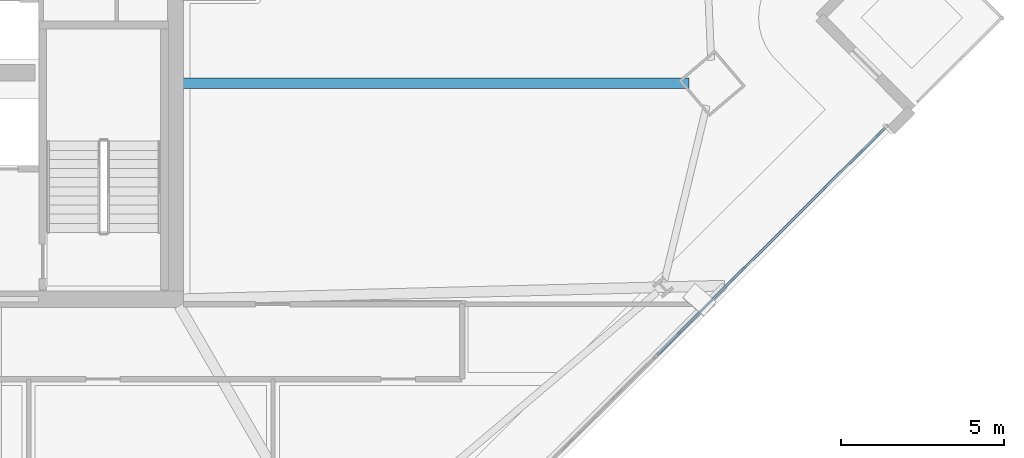
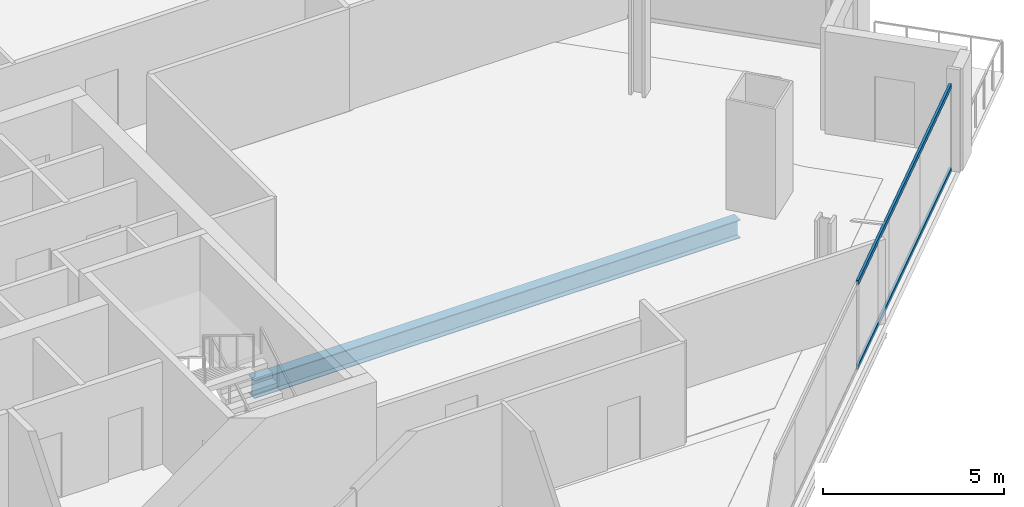
# One storey, part 11 of 32: 2 members, 1 beam, 1 element without a shape of its own.
"""IFC4 building model written with IfcOpenShell, lengths in metres."""

from ifc_helpers import new_model, si_unit, direction, frame, origin, origin_2d, place, context, subcontext, project, spatial, hollow_rectangle, i_section, extrude, material, material_profile, profile_set, type_object, element, aggregate, save


model = new_model("IFC4")

# Units and contexts
model_context = context("Model", 3, precision=1e-05, world=origin(), true_north=direction((0.0, 1.0)))
body_context = subcontext(model_context, "Body", "Model", "MODEL_VIEW")
ifc_project = project(units=[si_unit("LENGTHUNIT", "METRE"), si_unit("AREAUNIT", "SQUARE_METRE"), si_unit("VOLUMEUNIT", "CUBIC_METRE"), si_unit("PLANEANGLEUNIT", "RADIAN"), si_unit("MASSUNIT", "GRAM", prefix="KILO")], contexts=[model_context])

# Site, building, storey
site_placement = place(None, origin())
site = spatial("IfcSite", under=ifc_project, at=site_placement, CompositionType="ELEMENT")
building_placement = place(site_placement, origin())
building = spatial("IfcBuilding", under=site, at=building_placement, Name="Haldenkirk Collegiate Tower", CompositionType="ELEMENT")
storey_placement = place(building_placement, frame((0.0, 0.0, 178.199951171875)))
storey = spatial("IfcBuildingStorey", under=building, at=storey_placement, Name="L44", CompositionType="ELEMENT", Elevation=178.199951171875)

# Beam
ifc_material_1 = material(Name="Steel ASTM A992 Grade 50", Category="steel")
ifc_material_profile_1 = material_profile(ifc_material_1, i_section(OverallWidth=0.324951171875, OverallDepth=0.615966796875, WebThickness=0.013916015625, FlangeThickness=0.021484375, at=origin_2d()), Name="W24X117")
ifc_profile_set_1 = profile_set([ifc_material_profile_1], Name="Steel ASTM A992 Grade 50")
beam_type = type_object("IfcBeamType", Name="BM-GIRDER-W24X117", PredefinedType="BEAM", material=ifc_profile_set_1)
beam_placement = place(storey_placement, frame((60.760009765625, 24.62890625, -0.597900390625), z_axis=(-1.0, 0.0, 0.0), x_axis=(0.0, -1.0, 0.0)))
element("IfcBeam", 1, at=beam_placement, inside=storey, type_object=beam_type, Name="L44 primary floor girder 02", PredefinedType="BEAM", context=body_context, shape_type="SweptSolid", body=[
    extrude(i_section(OverallWidth=0.324951171875, OverallDepth=0.615966796875, WebThickness=0.013916015625, FlangeThickness=0.021484375, at=origin_2d()), origin(), (0.0, 0.0, 1.0), 15.530029296875),
])

# Curtain wall, members
ifc_material_2 = material(Name="Anodised architectural bronze aluminium", Category="aluminium")
curtain_wall_type = type_object("IfcCurtainWallType", Name="CW-SYS2-CONCAVE", PredefinedType="USERDEFINED", material=ifc_material_2)
curtain_wall_placement = place(storey_placement, origin())
curtain_wall = element("IfcCurtainWall", 2, at=curtain_wall_placement, inside=storey, type_object=curtain_wall_type, Name="L44 South concave recessed bronze-anodised curtain wall", ObjectType="UNITISED CURTAIN WALL", PredefinedType="USERDEFINED")
ifc_material_profile_2 = material_profile(ifc_material_2, hollow_rectangle(XDim=0.074951171875, YDim=0.159912109375, WallThickness=0.0048828125, at=origin_2d()), Name="CW-TRN-02")
ifc_profile_set_2 = profile_set([ifc_material_profile_2], Name="Anodised architectural bronze aluminium")
member_type = type_object("IfcMemberType", Name="CW-TRN-02", PredefinedType="USERDEFINED", material=ifc_profile_set_2)
member_1_placement = place(storey_placement, frame((66.76611328125, 23.253662109375, 0.03759765625), z_axis=(-0.708948598088, -0.705260154318, 0.0), x_axis=(0.705260154318, -0.708948598088, 0.0)))
member_1 = element("IfcMember", 3, at=member_1_placement, type_object=member_type, Name="CW-02 transom 1.1", ObjectType="TRANSOM", PredefinedType="USERDEFINED", context=body_context, shape_type="SweptSolid", body=[
    extrude(hollow_rectangle(XDim=0.074951171875, YDim=0.159912109375, WallThickness=0.0048828125, at=origin_2d()), origin(), (0.0, 0.0, 1.0), 9.8623046875),
])
member_2_placement = place(storey_placement, frame((66.76611328125, 23.253662109375, 2.87353515625), z_axis=(-0.708948598088, -0.705260154318, 0.0), x_axis=(0.705260154318, -0.708948598088, 0.0)))
member_2 = element("IfcMember", 4, at=member_2_placement, type_object=member_type, Name="CW-02 transom 1.2", ObjectType="TRANSOM", PredefinedType="USERDEFINED", context=body_context, shape_type="SweptSolid", body=[
    extrude(hollow_rectangle(XDim=0.074951171875, YDim=0.159912109375, WallThickness=0.0048828125, at=origin_2d()), origin(), (0.0, 0.0, 1.0), 9.8623046875),
])
aggregate(curtain_wall, [member_1, member_2])

save(model, "model.ifc")
